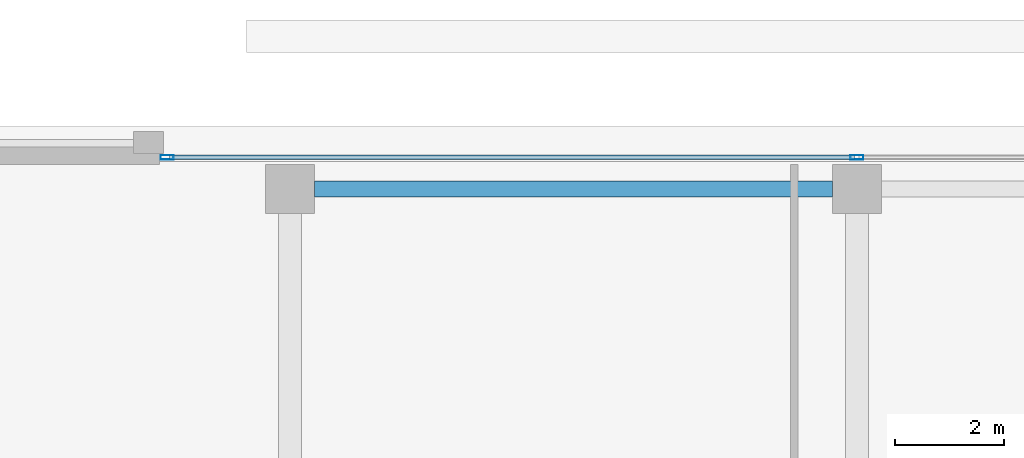
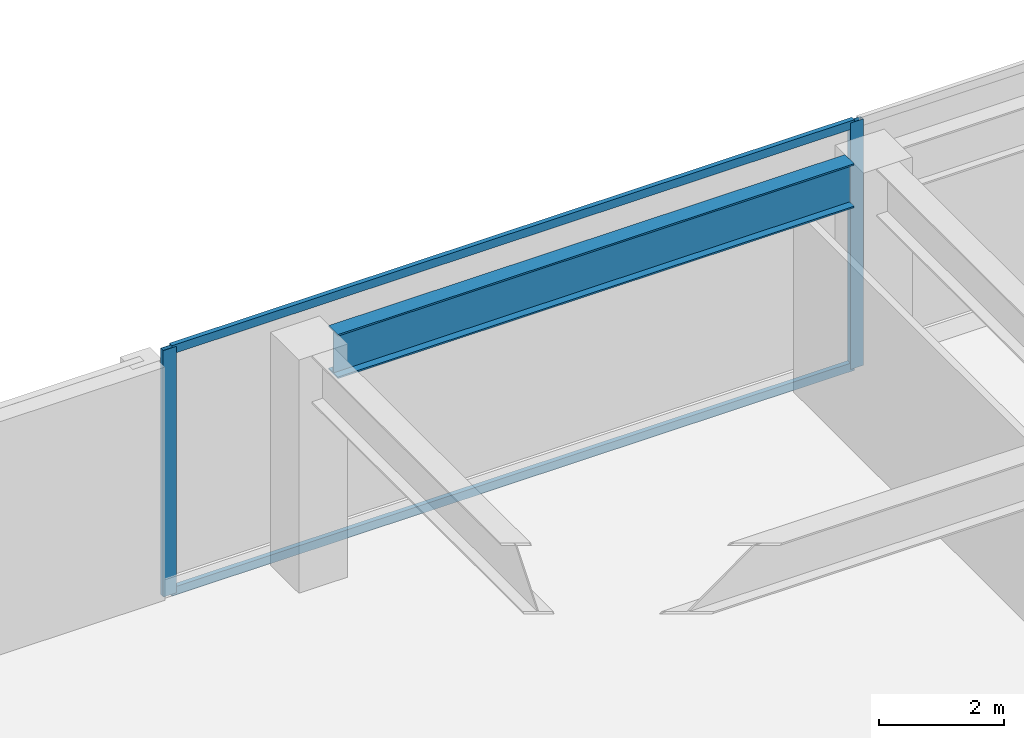
# One storey, part 22 of 44: 4 members, 1 beam, 1 element without a shape of its own.
"""IFC4 building model written with IfcOpenShell, lengths in metres."""

from ifc_helpers import new_model, si_unit, direction, frame, origin, origin_2d, place, context, subcontext, project, spatial, hollow_rectangle, i_section, extrude, material, material_profile, profile_set, type_object, element, aggregate, save


model = new_model("IFC4")

# Units and contexts
model_context = context("Model", 3, precision=1e-05, world=origin(), true_north=direction((0.0, 1.0)))
body_context = subcontext(model_context, "Body", "Model", "MODEL_VIEW")
ifc_project = project(units=[si_unit("LENGTHUNIT", "METRE"), si_unit("AREAUNIT", "SQUARE_METRE"), si_unit("VOLUMEUNIT", "CUBIC_METRE"), si_unit("PLANEANGLEUNIT", "RADIAN"), si_unit("MASSUNIT", "GRAM", prefix="KILO")], contexts=[model_context])

# Site, building, storey
site_placement = place(None, origin())
site = spatial("IfcSite", under=ifc_project, at=site_placement, CompositionType="ELEMENT")
building_placement = place(site_placement, origin())
building = spatial("IfcBuilding", under=site, at=building_placement, Name="Tashvorn Skyway Center", CompositionType="ELEMENT")
storey_placement = place(building_placement, frame((0.0, 0.0, 5.39990234375)))
storey = spatial("IfcBuildingStorey", under=building, at=storey_placement, Name="L01", CompositionType="ELEMENT", Elevation=5.39990234375)

# Beam
ifc_material_1 = material(Name="Steel ASTM A992 Grade 50", Category="steel")
ifc_material_profile_1 = material_profile(ifc_material_1, i_section(OverallWidth=0.2919921875, OverallDepth=0.85888671875, WebThickness=0.01708984375, FlangeThickness=0.031005859375, at=origin_2d()), Name="W33X169")
ifc_profile_set_1 = profile_set([ifc_material_profile_1], Name="Steel ASTM A992 Grade 50")
beam_type = type_object("IfcBeamType", Name="BM-BEAM-W33X169", PredefinedType="BEAM", material=ifc_profile_set_1)
beam_placement = place(storey_placement, frame((66.844970703125, 63.199951171875, 4.110595703125), z_axis=(1.0, 0.0, 0.0), x_axis=(0.0, 1.0, 0.0)))
element("IfcBeam", 1, at=beam_placement, inside=storey, type_object=beam_type, Name="L01 Central Podium Girder A 09", PredefinedType="BEAM", context=body_context, shape_type="SweptSolid", body=[
    extrude(i_section(OverallWidth=0.2919921875, OverallDepth=0.85888671875, WebThickness=0.01708984375, FlangeThickness=0.031005859375, at=origin_2d()), origin(), (0.0, 0.0, 1.0), 9.510009765625),
])

# Curtain wall, members
ifc_material_2 = material(Name="Thermally broken bronze-anodized aluminium 6063-T6", Category="aluminium")
curtain_wall_type = type_object("IfcCurtainWallType", Name="CW-CW-Z1", PredefinedType="NOTDEFINED", material=ifc_material_2)
curtain_wall_placement = place(storey_placement, origin())
curtain_wall = element("IfcCurtainWall", 2, at=curtain_wall_placement, inside=storey, type_object=curtain_wall_type, Name="L01 North Station Arcade Curtain Wall 2", PredefinedType="NOTDEFINED")
ifc_material_profile_2 = material_profile(ifc_material_2, hollow_rectangle(XDim=0.0849609375, YDim=0.239990234375, WallThickness=0.0048828125, at=origin_2d()), Name="ALU-MULL-85x240")
ifc_profile_set_2 = profile_set([ifc_material_profile_2], Name="Thermally broken bronze-anodized aluminium 6063-T6")
member_type_1 = type_object("IfcMemberType", Name="CWM-CW-Z1", PredefinedType="MULLION", material=ifc_profile_set_2)
member_1_placement = place(storey_placement, frame((64.142578125, 63.780029296875, 0.0), z_axis=(0.0, 0.0, 1.0), x_axis=(0.0, 1.0, 0.0)))
member_1 = element("IfcMember", 3, at=member_1_placement, type_object=member_type_1, Name="CW-Z1 mullion 1", PredefinedType="MULLION", context=body_context, shape_type="SweptSolid", body=[
    extrude(hollow_rectangle(XDim=0.0849609375, YDim=0.239990234375, WallThickness=0.0048828125, at=origin_2d()), origin(), (0.0, 0.0, 1.0), 4.800048828125),
])
member_2_placement = place(storey_placement, frame((76.800048828125, 63.780029296875, 0.0), z_axis=(0.0, 0.0, 1.0), x_axis=(0.0, 1.0, 0.0)))
member_2 = element("IfcMember", 4, at=member_2_placement, type_object=member_type_1, Name="CW-Z1 mullion 2", PredefinedType="MULLION", context=body_context, shape_type="SweptSolid", body=[
    extrude(hollow_rectangle(XDim=0.0849609375, YDim=0.239990234375, WallThickness=0.0048828125, at=origin_2d()), origin(), (0.0, 0.0, 1.0), 4.800048828125),
])
ifc_material_profile_3 = material_profile(ifc_material_2, hollow_rectangle(XDim=0.0849609375, YDim=0.1650390625, WallThickness=0.0048828125, at=origin_2d()), Name="ALU-TRAN-85x165")
ifc_profile_set_3 = profile_set([ifc_material_profile_3], Name="Thermally broken bronze-anodized aluminium 6063-T6")
member_type_2 = type_object("IfcMemberType", Name="CWT-CW-Z1", PredefinedType="USERDEFINED", material=ifc_profile_set_3)
member_3_placement = place(storey_placement, frame((64.18505859375, 63.780029296875, 0.04248046875), z_axis=(1.0, 0.0, 0.0), x_axis=(0.0, 1.0, 0.0)))
member_3 = element("IfcMember", 5, at=member_3_placement, type_object=member_type_2, Name="CW-Z1 transom 1.1", ObjectType="TRANSOM", PredefinedType="USERDEFINED", context=body_context, shape_type="SweptSolid", body=[
    extrude(hollow_rectangle(XDim=0.0849609375, YDim=0.1650390625, WallThickness=0.0048828125, at=origin_2d()), origin(), (0.0, 0.0, 1.0), 12.572509765625),
])
member_4_placement = place(storey_placement, frame((64.18505859375, 63.780029296875, 4.757568359375), z_axis=(1.0, 0.0, 0.0), x_axis=(0.0, 1.0, 0.0)))
member_4 = element("IfcMember", 6, at=member_4_placement, type_object=member_type_2, Name="CW-Z1 transom 1.2", ObjectType="TRANSOM", PredefinedType="USERDEFINED", context=body_context, shape_type="SweptSolid", body=[
    extrude(hollow_rectangle(XDim=0.0849609375, YDim=0.1650390625, WallThickness=0.0048828125, at=origin_2d()), origin(), (0.0, 0.0, 1.0), 12.572509765625),
])
aggregate(curtain_wall, [member_1, member_2, member_3, member_4])

save(model, "model.ifc")
